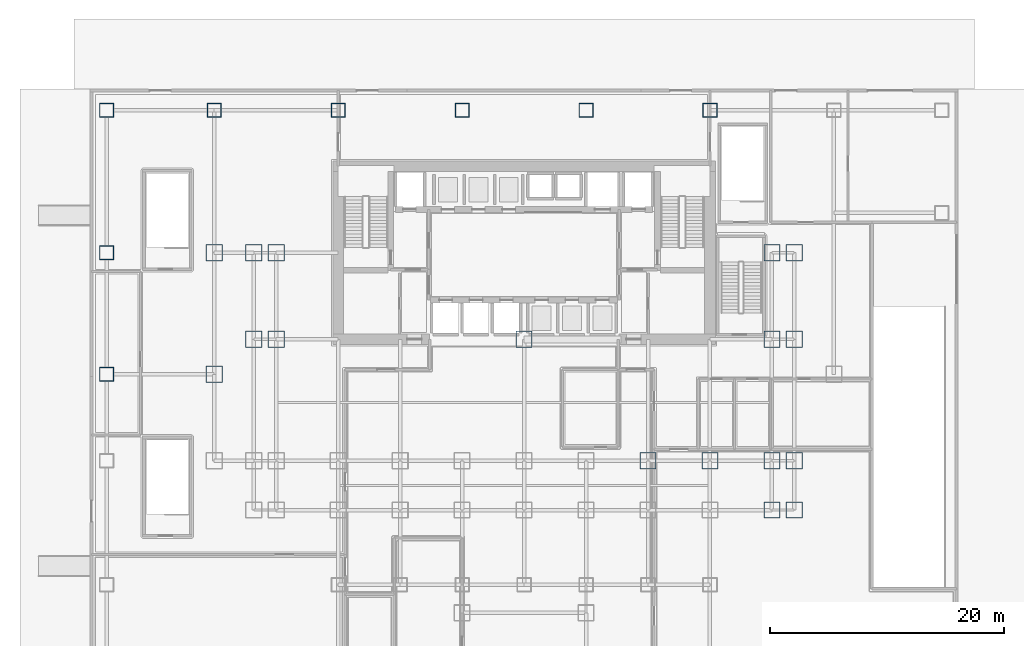
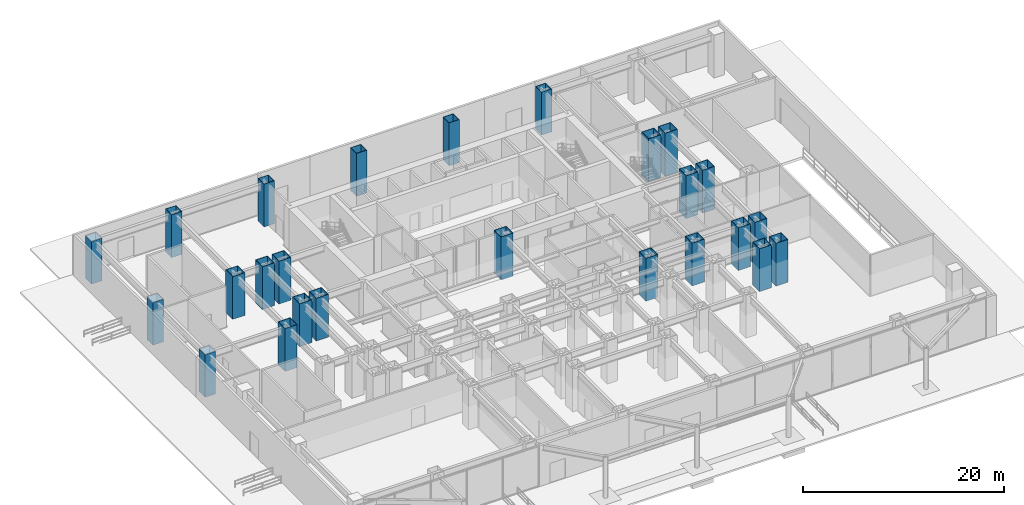
# One storey, part 3 of 18: 25 columns.
"""IFC4 building model written with IfcOpenShell, lengths in metres."""

from ifc_helpers import new_model, si_unit, direction, frame, origin, origin_2d, place, context, subcontext, project, spatial, hollow_rectangle, extrude, material, material_profile, profile_set, type_object, element, save


model = new_model("IFC4")

# Units and contexts
model_context = context("Model", 3, precision=1e-05, world=origin(), true_north=direction((0.0, 1.0)))
body_context = subcontext(model_context, "Body", "Model", "MODEL_VIEW")
ifc_project = project(units=[si_unit("LENGTHUNIT", "METRE"), si_unit("AREAUNIT", "SQUARE_METRE"), si_unit("VOLUMEUNIT", "CUBIC_METRE"), si_unit("PLANEANGLEUNIT", "RADIAN"), si_unit("MASSUNIT", "GRAM", prefix="KILO")], contexts=[model_context])

# Site, building, storey
site_placement = place(None, origin())
site = spatial("IfcSite", under=ifc_project, at=site_placement, CompositionType="ELEMENT")
building_placement = place(site_placement, origin())
building = spatial("IfcBuilding", under=site, at=building_placement, Name="Qianlan Lanfeng Residences", CompositionType="ELEMENT")
storey_placement = place(building_placement, origin())
storey = spatial("IfcBuildingStorey", under=building, at=storey_placement, Name="L00", CompositionType="ELEMENT", Elevation=0.0)

# Columns
ifc_material = material(Name="Steel SM570 (420 MPa)", Category="steel")
ifc_material_profile_1 = material_profile(ifc_material, hollow_rectangle(XDim=1.39990234375, YDim=1.39990234375, WallThickness=0.044921875, at=origin_2d()), Name="BOX 1400x1400x45")
ifc_profile_set_1 = profile_set([ifc_material_profile_1], Name="Steel SM570 (420 MPa)")
column_type_1 = type_object("IfcColumnType", Name="C-B1600", PredefinedType="COLUMN", material=ifc_profile_set_1)
for number, where, z_axis, x_axis, name in (
    (1, (26.5, 25.199951171875, 0.0), (0.0, 0.0, 1.0), (1.0, 0.0, 0.0), "L00 Structural Column CP_26.5_25.2"),
    (2, (37.10009765625, 14.800048828125, 0.0), (0.0, 0.0, 1.0), (1.0, 0.0, 0.0), "L00 Structural Column M_37.10_14.80"),
    (3, (42.39990234375, 14.800048828125, 0.0), (0.0, 0.0, 1.0), (1.0, 0.0, 0.0), "L00 Structural Column M_42.40_14.80"),
    (4, (3.39990234375, 25.199951171875, 0.0), (0.0, 0.0, 1.0), (1.0, 0.0, 0.0), "L00 Structural Column W_3.40_25.20"),
    (5, (3.39990234375, 32.60009765625, 0.0), (0.0, 0.0, 1.0), (1.0, 0.0, 0.0), "L00 Structural Column W_3.40_32.60"),
    (6, (5.300048828125, 25.199951171875, 0.0), (0.0, 0.0, 1.0), (1.0, 0.0, 0.0), "L00 Structural Column W_5.30_25.20"),
    (7, (5.300048828125, 32.60009765625, 0.0), (0.0, 0.0, 1.0), (1.0, 0.0, 0.0), "L00 Structural Column W_5.30_32.60"),
    (8, (47.699951171875, 10.60009765625, 0.0), (0.0, 0.0, 1.0), (1.0, 0.0, 0.0), "L00 Structural Column W_47.70_10.60"),
    (9, (47.699951171875, 14.800048828125, 0.0), (0.0, 0.0, 1.0), (1.0, 0.0, 0.0), "L00 Structural Column W_47.70_14.80"),
    (10, (47.699951171875, 25.199951171875, 0.0), (0.0, 0.0, 1.0), (1.0, 0.0, 0.0), "L00 Structural Column W_47.70_25.20"),
    (11, (47.699951171875, 32.60009765625, 0.0), (0.0, 0.0, 1.0), (1.0, 0.0, 0.0), "L00 Structural Column W_47.70_32.60"),
    (12, (49.60009765625, 10.60009765625, 0.0), (0.0, 0.0, 1.0), (1.0, 0.0, 0.0), "L00 Structural Column W_49.60_10.60"),
    (13, (49.60009765625, 14.800048828125, 0.0), (0.0, 0.0, 1.0), (1.0, 0.0, 0.0), "L00 Structural Column W_49.60_14.80"),
    (14, (49.60009765625, 25.199951171875, 0.0), (0.0, 0.0, 1.0), (1.0, 0.0, 0.0), "L00 Structural Column W_49.60_25.20"),
    (15, (49.60009765625, 32.60009765625, 0.0), (0.0, 0.0, 1.0), (1.0, 0.0, 0.0), "L00 Structural Column W_49.60_32.60"),
    (16, (0.0, 22.199951171875, 0.0), (0.0, 0.0, 1.0), (1.0, 0.0, 0.0), "L00 Structural Column P_+0.0_+22.2"),
    (17, (0.0, 32.60009765625, 0.0), (0.0, 0.0, 1.0), (1.0, 0.0, 0.0), "L00 Structural Column P_+0.0_+32.6"),
):
    element("IfcColumn", number, at=place(storey_placement, frame(where, z_axis=z_axis, x_axis=x_axis)), inside=storey, type_object=column_type_1, Name=name, PredefinedType="COLUMN", context=body_context, shape_type="SweptSolid", body=[
        extrude(hollow_rectangle(XDim=1.39990234375, YDim=1.39990234375, WallThickness=0.044921875, at=origin_2d()), origin(), (0.0, 0.0, 1.0), 5.199951171875),
    ])
ifc_material_profile_2 = material_profile(ifc_material, hollow_rectangle(XDim=1.199951171875, YDim=1.199951171875, WallThickness=0.0400390625, at=origin_2d()), Name="BOX 1200x1200x40")
ifc_profile_set_2 = profile_set([ifc_material_profile_2], Name="Steel SM570 (420 MPa)")
column_type_2 = type_object("IfcColumnType", Name="CE-B1400", PredefinedType="COLUMN", material=ifc_profile_set_2)
for number, where, z_axis, x_axis, name in (
    (18, (-9.199951171875, 22.199951171875, 0.0), (0.0, 0.0, 1.0), (1.0, 0.0, 0.0), "L00 Structural Column P_-9.2_+22.2"),
    (19, (-9.199951171875, 32.60009765625, 0.0), (0.0, 0.0, 1.0), (1.0, 0.0, 0.0), "L00 Structural Column P_-9.2_+32.6"),
    (20, (-9.199951171875, 44.800048828125, 0.0), (0.0, 0.0, 1.0), (1.0, 0.0, 0.0), "L00 Structural Column P_-9.2_+44.8"),
):
    element("IfcColumn", number, at=place(storey_placement, frame(where, z_axis=z_axis, x_axis=x_axis)), inside=storey, type_object=column_type_2, Name=name, PredefinedType="COLUMN", context=body_context, shape_type="SweptSolid", body=[
        extrude(hollow_rectangle(XDim=1.199951171875, YDim=1.199951171875, WallThickness=0.0400390625, at=origin_2d()), origin(), (0.0, 0.0, 1.0), 5.1640625),
    ])
for number, where, z_axis, x_axis, name in (
    (21, (0.0, 44.800048828125, 0.0), (0.0, 0.0, 1.0), (1.0, 0.0, 0.0), "L00 Structural Column P_+0.0_+44.8"),
    (22, (10.60009765625, 44.800048828125, 0.0), (0.0, 0.0, 1.0), (1.0, 0.0, 0.0), "L00 Structural Column P_+10.6_+44.8"),
    (23, (21.199951171875, 44.800048828125, 0.0), (0.0, 0.0, 1.0), (1.0, 0.0, 0.0), "L00 Structural Column P_+21.2_+44.8"),
    (24, (31.800048828125, 44.800048828125, 0.0), (0.0, 0.0, 1.0), (1.0, 0.0, 0.0), "L00 Structural Column P_+31.8_+44.8"),
    (25, (42.39990234375, 44.800048828125, 0.0), (0.0, 0.0, 1.0), (1.0, 0.0, 0.0), "L00 Structural Column P_+42.4_+44.8"),
):
    element("IfcColumn", number, at=place(storey_placement, frame(where, z_axis=z_axis, x_axis=x_axis)), inside=storey, type_object=column_type_2, Name=name, PredefinedType="COLUMN", context=body_context, shape_type="SweptSolid", body=[
        extrude(hollow_rectangle(XDim=1.199951171875, YDim=1.199951171875, WallThickness=0.0400390625, at=origin_2d()), origin(), (0.0, 0.0, 1.0), 5.199951171875),
    ])

save(model, "model.ifc")
